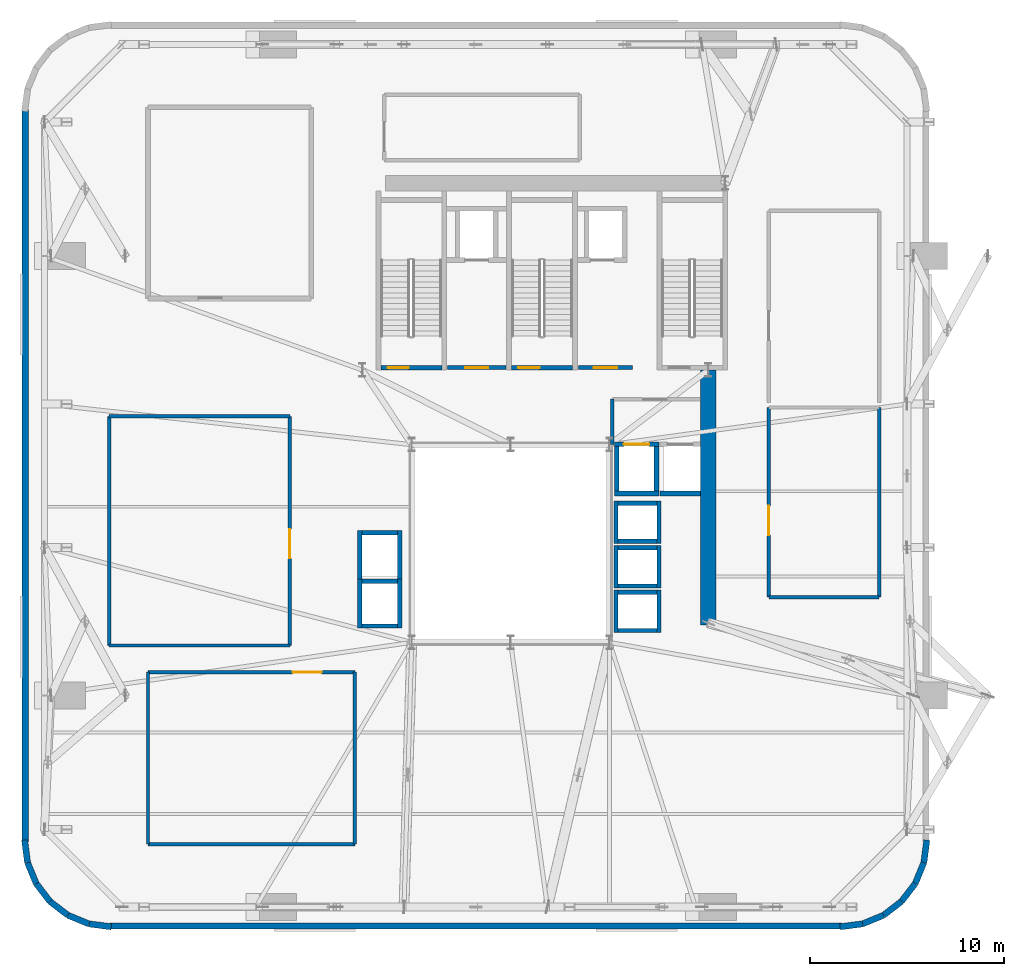
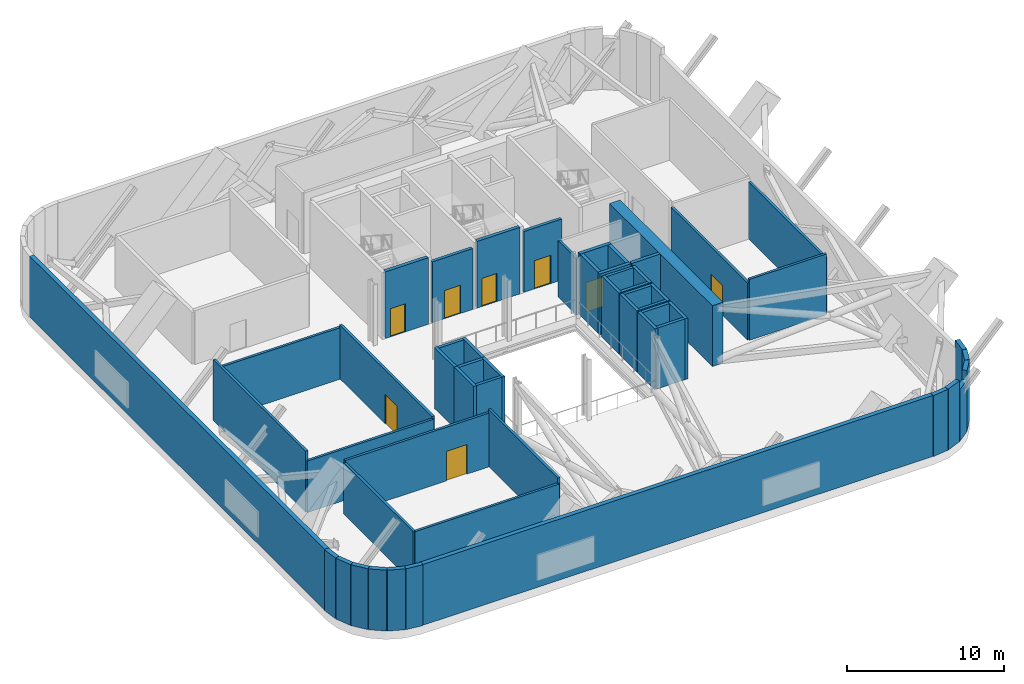
# One storey, part 9 of 14: 55 walls, 8 doors, 8 openings.
"""IFC4 building model written with IfcOpenShell, lengths in metres."""

from ifc_helpers import new_model, si_unit, direction, frame, frame_2d, origin, place, context, subcontext, project, spatial, rectangle, extrude, source, transform, mapped, material, layer, layer_set, type_object, element, fill, save


model = new_model("IFC4")

# Units and contexts
model_context = context("Model", 3, precision=1e-05, world=origin(), true_north=direction((0.0, 1.0)))
body_context = subcontext(model_context, "Body", "Model", "MODEL_VIEW")
ifc_project = project(units=[si_unit("LENGTHUNIT", "METRE"), si_unit("AREAUNIT", "SQUARE_METRE"), si_unit("VOLUMEUNIT", "CUBIC_METRE"), si_unit("PLANEANGLEUNIT", "RADIAN"), si_unit("MASSUNIT", "GRAM", prefix="KILO")], contexts=[model_context])

# Site, building, storey
site_placement = place(None, origin())
site = spatial("IfcSite", under=ifc_project, at=site_placement, CompositionType="ELEMENT")
building_placement = place(site_placement, origin())
building = spatial("IfcBuilding", under=site, at=building_placement, Name="Vardaveli Station Tower", CompositionType="ELEMENT")
storey_placement = place(building_placement, frame((0.0, 0.0, 237.300048828125)))
storey = spatial("IfcBuildingStorey", under=building, at=storey_placement, Name="L61", CompositionType="ELEMENT", Elevation=237.300048828125)

# Walls
ifc_material_1 = material(Name="Concrete C50/60", Category="concrete")
ifc_layer_1 = layer(ifc_material_1, 0.800048828125, Name="Concrete C50/60")
ifc_layer_set_1 = layer_set([ifc_layer_1], Name="Concrete C50/60")
wall_type_1 = type_object("IfcWallType", Name="WAL-CORE-800", PredefinedType="SHEAR", material=ifc_layer_set_1)
shared_shape_1 = source(origin(), body_context, "Body", "SweptSolid", [
    extrude(rectangle(XDim=13.14990234375, YDim=0.800048828125, at=frame_2d((6.574951171875, 0.0))), origin(), (0.0, 0.0, 1.0), 4.75),
])
wall_1_placement = place(storey_placement, frame((46.5, 17.5, 0.0), z_axis=(0.0, 0.0, 1.0), x_axis=(0.0, 1.0, 0.0)))
element("IfcWall", 1, at=wall_1_placement, inside=storey, type_object=wall_type_1, Name="SW-L61-EAST2", PredefinedType="SHEAR", context=body_context, shape_type="MappedRepresentation", body=[
    mapped(shared_shape_1, transform((0.0, 0.0, 0.0), scale=1.0)),
])
ifc_material_2 = material(Name="Precast concrete C45/55", Category="concrete")
ifc_layer_2 = layer(ifc_material_2, 0.320068359375, Name="Precast concrete C45/55")
ifc_layer_set_2 = layer_set([ifc_layer_2], Name="Precast concrete C45/55")
wall_type_2 = type_object("IfcWallType", Name="WAL-EXT-STONE-320", PredefinedType="SOLIDWALL", material=ifc_layer_set_2)
shared_shape_2 = source(origin(), body_context, "Body", "SweptSolid", [
    extrude(rectangle(XDim=37.7998046875, YDim=0.320068359375, at=frame_2d((18.89990234375, 0.0))), origin(), (0.0, 0.0, 1.0), 4.75),
])
wall_2_placement = place(storey_placement, frame((15.60009765625, 1.9599609375, 0.0), z_axis=(0.0, 0.0, 1.0), x_axis=(1.0, 0.0, 0.0)))
element("IfcWall", 2, at=wall_2_placement, inside=storey, type_object=wall_type_2, Name="EW-L61-S", PredefinedType="SOLIDWALL", context=body_context, shape_type="MappedRepresentation", body=[
    mapped(shared_shape_2, transform((0.0, 0.0, 0.0), scale=1.0)),
])
shared_shape_3 = source(origin(), body_context, "Body", "SweptSolid", [
    extrude(rectangle(XDim=37.800048828125, YDim=0.320068359375, at=frame_2d((18.89990234375, 0.0))), origin(), (0.0, 0.0, 1.0), 4.75),
])
wall_3_placement = place(storey_placement, frame((11.260009765625, 44.10009765625, 0.0), z_axis=(0.0, 0.0, 1.0), x_axis=(0.0, -1.0, 0.0)))
element("IfcWall", 3, at=wall_3_placement, inside=storey, type_object=wall_type_2, Name="EW-L61-W", PredefinedType="SOLIDWALL", context=body_context, shape_type="MappedRepresentation", body=[
    mapped(shared_shape_3, transform((0.0, 0.0, 0.0), scale=1.0)),
])
shared_shape_4 = source(origin(), body_context, "Body", "SweptSolid", [
    extrude(rectangle(XDim=1.170654296875, YDim=0.320068359375, at=frame_2d((0.58544921875, 0.0))), origin(), (0.0, 0.0, 1.0), 4.75),
])
for number, where, z_axis, x_axis, name in (
    (4, (11.224365234375, 6.400634765625, 0.0), (0.0, 0.0, 1.0), (0.128269133229, -0.991739395941, 0.0), "EW-L61-CR1-1"),
    (5, (57.62548828125, 5.23974609375, 0.0), (0.0, 0.0, 1.0), (0.128269133229, 0.991739395941, 0.0), "EW-L61-CR2-6"),
):
    element("IfcWall", number, at=place(storey_placement, frame(where, z_axis=z_axis, x_axis=x_axis)), inside=storey, type_object=wall_type_2, Name=name, PredefinedType="SOLIDWALL", context=body_context, shape_type="MappedRepresentation", body=[
        mapped(shared_shape_4, transform((0.0, 0.0, 0.0), scale=1.0)),
    ])
shared_shape_5 = source(origin(), body_context, "Body", "SweptSolid", [
    extrude(rectangle(XDim=1.1689453125, YDim=0.320068359375, at=frame_2d((0.58447265625, 0.0))), origin(), (0.0, 0.0, 1.0), 4.75),
])
for number, where, z_axis, x_axis, name in (
    (6, (11.37451171875, 5.23974609375, 0.0), (0.0, 0.0, 1.0), (0.381127904695, -0.924522320046, 0.0), "EW-L61-CR1-2"),
    (7, (11.820068359375, 4.158935546875, 0.0), (0.0, 0.0, 1.0), (0.608387696831, -0.793639975269, 0.0), "EW-L61-CR1-3"),
    (8, (56.46875, 3.231201171875, 0.0), (0.0, 0.0, 1.0), (0.608387696831, 0.793639975269, 0.0), "EW-L61-CR2-4"),
    (9, (57.179931640625, 4.158935546875, 0.0), (0.0, 0.0, 1.0), (0.381127904695, 0.924522320046, 0.0), "EW-L61-CR2-5"),
):
    element("IfcWall", number, at=place(storey_placement, frame(where, z_axis=z_axis, x_axis=x_axis)), inside=storey, type_object=wall_type_2, Name=name, PredefinedType="SOLIDWALL", context=body_context, shape_type="MappedRepresentation", body=[
        mapped(shared_shape_5, transform((0.0, 0.0, 0.0), scale=1.0)),
    ])
shared_shape_6 = source(origin(), body_context, "Body", "SweptSolid", [
    extrude(rectangle(XDim=1.168701171875, YDim=0.320068359375, at=frame_2d((0.58447265625, 0.0))), origin(), (0.0, 0.0, 1.0), 4.75),
])
wall_4_placement = place(storey_placement, frame((12.53125, 3.231201171875, 0.0), z_axis=(0.0, 0.0, 1.0), x_axis=(0.793663520347, -0.608356981114, 0.0)))
element("IfcWall", 10, at=wall_4_placement, inside=storey, type_object=wall_type_2, Name="EW-L61-CR1-4", PredefinedType="SOLIDWALL", context=body_context, shape_type="MappedRepresentation", body=[
    mapped(shared_shape_6, transform((0.0, 0.0, 0.0), scale=1.0)),
])
shared_shape_7 = source(origin(), body_context, "Body", "SweptSolid", [
    extrude(rectangle(XDim=1.16943359375, YDim=0.320068359375, at=frame_2d((0.584716796875, 0.0))), origin(), (0.0, 0.0, 1.0), 4.75),
])
for number, where, z_axis, x_axis, name in (
    (11, (13.458740234375, 2.520263671875, 0.0), (0.0, 0.0, 1.0), (0.924479075121, -0.381232789334, 0.0), "EW-L61-CR1-5"),
    (12, (54.460205078125, 2.074462890625, 0.0), (0.0, 0.0, 1.0), (0.924479075121, 0.381232789334, 0.0), "EW-L61-CR2-2"),
):
    element("IfcWall", number, at=place(storey_placement, frame(where, z_axis=z_axis, x_axis=x_axis)), inside=storey, type_object=wall_type_2, Name=name, PredefinedType="SOLIDWALL", context=body_context, shape_type="MappedRepresentation", body=[
        mapped(shared_shape_7, transform((0.0, 0.0, 0.0), scale=1.0)),
    ])
shared_shape_8 = source(origin(), body_context, "Body", "SweptSolid", [
    extrude(rectangle(XDim=1.170166015625, YDim=0.320068359375, at=frame_2d((0.5849609375, 0.0))), origin(), (0.0, 0.0, 1.0), 4.75),
])
for number, where, z_axis, x_axis, name in (
    (13, (14.539794921875, 2.074462890625, 0.0), (0.0, 0.0, 1.0), (0.991762485493, -0.128090485085, 0.0), "EW-L61-CR1-6"),
    (14, (53.299560546875, 1.924560546875, 0.0), (0.0, 0.0, 1.0), (0.991762485493, 0.128090485085, 0.0), "EW-L61-CR2-1"),
):
    element("IfcWall", number, at=place(storey_placement, frame(where, z_axis=z_axis, x_axis=x_axis)), inside=storey, type_object=wall_type_2, Name=name, PredefinedType="SOLIDWALL", context=body_context, shape_type="MappedRepresentation", body=[
        mapped(shared_shape_8, transform((0.0, 0.0, 0.0), scale=1.0)),
    ])
shared_shape_9 = source(origin(), body_context, "Body", "SweptSolid", [
    extrude(rectangle(XDim=1.168701171875, YDim=0.320068359375, at=frame_2d((0.58447265625, 0.0))), origin(), (0.0, 0.0, 1.0), 4.029052734375),
])
wall_5_placement = place(storey_placement, frame((55.541259765625, 2.520263671875, 0.0), z_axis=(0.0, 0.0, 1.0), x_axis=(0.793663520347, 0.608356981114, 0.0)))
element("IfcWall", 15, at=wall_5_placement, inside=storey, type_object=wall_type_2, Name="EW-L61-CR2-3", PredefinedType="SOLIDWALL", context=body_context, shape_type="MappedRepresentation", body=[
    mapped(shared_shape_9, transform((0.0, 0.0, 0.0), scale=1.0)),
])

# Wall, opening, door
ifc_material_3 = material(Name="Concrete C40/50", Category="concrete")
ifc_layer_3 = layer(ifc_material_3, 0.25, Name="Concrete C40/50")
ifc_layer_set_3 = layer_set([ifc_layer_3], Name="Concrete C40/50")
wall_type_3 = type_object("IfcWallType", Name="WAL-SHAFT-250", PredefinedType="SOLIDWALL", material=ifc_layer_set_3)
shared_shape_10 = source(origin(), body_context, "Body", "SweptSolid", [
    extrude(rectangle(XDim=3.14990234375, YDim=0.25, at=frame_2d((1.574951171875, 0.0))), origin(), (0.0, 0.0, 1.0), 5.199951171875),
])
wall_6_placement = place(storey_placement, frame((29.60009765625, 30.77490234375, 0.0), z_axis=(0.0, 0.0, 1.0), x_axis=(1.0, 0.0, 0.0)))
wall_6 = element("IfcWall", 16, at=wall_6_placement, inside=storey, type_object=wall_type_3, Name="W-L61-ST-1S", PredefinedType="SOLIDWALL", context=body_context, shape_type="MappedRepresentation", body=[
    mapped(shared_shape_10, transform((0.0, 0.0, 0.0), scale=1.0)),
])
shared_shape_11 = source(origin(), body_context, "Body", "SweptSolid", [
    extrude(rectangle(XDim=1.10009765625, YDim=2.199951171875, at=frame_2d((0.550048828125, 1.10009765625))), frame((0.0, 0.135009765625, 0.0), z_axis=(0.0, -1.0, 0.0), x_axis=(1.0, 0.0, 0.0)), (0.0, 0.0, 1.0), 0.27001953125),
])
opening_1_placement = place(wall_6_placement, frame((0.35009765625, 0.0, 0.0)))
opening_1 = element("IfcOpeningElement", 17, at=opening_1_placement, cuts=wall_6, Name="Opening D-04", PredefinedType="OPENING", context=body_context, shape_type="MappedRepresentation", body=[
    mapped(shared_shape_11, transform((0.0, 0.0, 0.0), scale=1.0)),
])
ifc_material_4 = material(Name="Steel smokeproof fire doorset", Category="steel")
door_type_1 = type_object("IfcDoorType", Name="DR-ST-1100x2200", OperationType="NOTDEFINED", PredefinedType="DOOR", material=ifc_material_4)
shared_shape_12 = source(origin(), body_context, "Body", "SweptSolid", [
    extrude(rectangle(XDim=1.10009765625, YDim=2.199951171875, at=frame_2d((0.550048828125, 1.10009765625))), frame((0.0, 0.02490234375, 0.0), z_axis=(0.0, -1.0, 0.0), x_axis=(1.0, 0.0, 0.0)), (0.0, 0.0, 1.0), 0.050048828125),
])
door_1_placement = place(opening_1_placement, origin())
door_1 = element("IfcDoor", 18, at=door_1_placement, inside=storey, type_object=door_type_1, Name="DST-1-L61", OperationType="SINGLE_SWING_LEFT", OverallHeight=2.199951171875, OverallWidth=1.10009765625, PredefinedType="DOOR", context=body_context, shape_type="MappedRepresentation", body=[
    mapped(shared_shape_12, transform((0.0, 0.0, 0.0), scale=1.0)),
])
fill(opening_1, door_1)

wall_7_placement = place(storey_placement, frame((36.35009765625, 30.77490234375, 0.0), z_axis=(0.0, 0.0, 1.0), x_axis=(1.0, 0.0, 0.0)))
wall_7 = element("IfcWall", 19, at=wall_7_placement, inside=storey, type_object=wall_type_3, Name="W-L61-ST-2S", PredefinedType="SOLIDWALL", context=body_context, shape_type="MappedRepresentation", body=[
    mapped(shared_shape_10, transform((0.0, 0.0, 0.0), scale=1.0)),
])
opening_2_placement = place(wall_7_placement, frame((0.35009765625, 0.0, 0.0)))
opening_2 = element("IfcOpeningElement", 20, at=opening_2_placement, cuts=wall_7, Name="Opening D-04", PredefinedType="OPENING", context=body_context, shape_type="MappedRepresentation", body=[
    mapped(shared_shape_11, transform((0.0, 0.0, 0.0), scale=1.0)),
])
door_2_placement = place(opening_2_placement, origin())
door_2 = element("IfcDoor", 21, at=door_2_placement, inside=storey, type_object=door_type_1, Name="DST-2-L61", OperationType="SINGLE_SWING_LEFT", OverallHeight=2.199951171875, OverallWidth=1.10009765625, PredefinedType="DOOR", context=body_context, shape_type="MappedRepresentation", body=[
    mapped(shared_shape_12, transform((0.0, 0.0, 0.0), scale=1.0)),
])
fill(opening_2, door_2)

ifc_layer_4 = layer(ifc_material_3, 0.219970703125, Name="Concrete C40/50")
ifc_layer_set_4 = layer_set([ifc_layer_4], Name="Concrete C40/50")
wall_type_4 = type_object("IfcWallType", Name="WAL-FFLOBBY-220", PredefinedType="SOLIDWALL", material=ifc_layer_set_4)
shared_shape_13 = source(origin(), body_context, "Body", "SweptSolid", [
    extrude(rectangle(XDim=3.0, YDim=0.219970703125, at=frame_2d((1.5, 0.0))), origin(), (0.0, 0.0, 1.0), 4.75),
])
wall_8_placement = place(storey_placement, frame((33.050048828125, 30.780029296875, 0.0), z_axis=(0.0, 0.0, 1.0), x_axis=(1.0, 0.0, 0.0)))
wall_8 = element("IfcWall", 22, at=wall_8_placement, inside=storey, type_object=wall_type_4, Name="W-L61-FFL1S", PredefinedType="SOLIDWALL", context=body_context, shape_type="MappedRepresentation", body=[
    mapped(shared_shape_13, transform((0.0, 0.0, 0.0), scale=1.0)),
])
shared_shape_14 = source(origin(), body_context, "Body", "SweptSolid", [
    extrude(rectangle(XDim=1.199951171875, YDim=2.199951171875, at=frame_2d((0.60009765625, 1.10009765625))), frame((0.0, 0.1201171875, 0.0), z_axis=(0.0, -1.0, 0.0), x_axis=(1.0, 0.0, 0.0)), (0.0, 0.0, 1.0), 0.239990234375),
])
opening_3_placement = place(wall_8_placement, frame((0.89990234375, 0.0, 0.0)))
opening_3 = element("IfcOpeningElement", 23, at=opening_3_placement, cuts=wall_8, Name="Opening D-03", PredefinedType="OPENING", context=body_context, shape_type="MappedRepresentation", body=[
    mapped(shared_shape_14, transform((0.0, 0.0, 0.0), scale=1.0)),
])
door_type_2 = type_object("IfcDoorType", Name="DR-FFL-1200x2200", OperationType="NOTDEFINED", PredefinedType="DOOR", material=ifc_material_4)
shared_shape_15 = source(origin(), body_context, "Body", "SweptSolid", [
    extrude(rectangle(XDim=1.199951171875, YDim=2.199951171875, at=frame_2d((0.60009765625, 1.10009765625))), frame((0.0, 0.02490234375, 0.0), z_axis=(0.0, -1.0, 0.0), x_axis=(1.0, 0.0, 0.0)), (0.0, 0.0, 1.0), 0.050048828125),
])
door_3_placement = place(opening_3_placement, origin())
door_3 = element("IfcDoor", 24, at=door_3_placement, inside=storey, type_object=door_type_2, Name="DFFL1-L61", OperationType="SINGLE_SWING_LEFT", OverallHeight=2.199951171875, OverallWidth=1.199951171875, PredefinedType="DOOR", context=body_context, shape_type="MappedRepresentation", body=[
    mapped(shared_shape_15, transform((0.0, 0.0, 0.0), scale=1.0)),
])
fill(opening_3, door_3)

shared_shape_16 = source(origin(), body_context, "Body", "SweptSolid", [
    extrude(rectangle(XDim=2.800048828125, YDim=0.219970703125, at=frame_2d((1.39990234375, 0.0))), origin(), (0.0, 0.0, 1.0), 4.75),
])
wall_9_placement = place(storey_placement, frame((39.800048828125, 30.780029296875, 0.0), z_axis=(0.0, 0.0, 1.0), x_axis=(1.0, 0.0, 0.0)))
wall_9 = element("IfcWall", 25, at=wall_9_placement, inside=storey, type_object=wall_type_4, Name="W-L61-FFL2S", PredefinedType="SOLIDWALL", context=body_context, shape_type="MappedRepresentation", body=[
    mapped(shared_shape_16, transform((0.0, 0.0, 0.0), scale=1.0)),
])
opening_4_placement = place(wall_9_placement, frame((0.800048828125, 0.0, 0.0)))
opening_4 = element("IfcOpeningElement", 26, at=opening_4_placement, cuts=wall_9, Name="Opening D-03", PredefinedType="OPENING", context=body_context, shape_type="MappedRepresentation", body=[
    mapped(shared_shape_14, transform((0.0, 0.0, 0.0), scale=1.0)),
])
door_4_placement = place(opening_4_placement, origin())
door_4 = element("IfcDoor", 27, at=door_4_placement, inside=storey, type_object=door_type_2, Name="DFFL2-L61", OperationType="SINGLE_SWING_RIGHT", OverallHeight=2.199951171875, OverallWidth=1.199951171875, PredefinedType="DOOR", context=body_context, shape_type="MappedRepresentation", body=[
    mapped(shared_shape_15, transform((0.0, 0.0, 0.0), scale=1.0)),
])
fill(opening_4, door_4)

# Walls
shared_shape_17 = source(origin(), body_context, "Body", "SweptSolid", [
    extrude(rectangle(XDim=2.0, YDim=0.219970703125, at=frame_2d((1.0, 0.0))), origin(), (0.0, 0.0, 1.0), 4.75),
])
for number, where, z_axis, x_axis, name in (
    (28, (41.85009765625, 21.81494140625, 0.0), (0.0, 0.0, 1.0), (1.0, 0.0, 0.0), "SHW-HL3-01-L61-S"),
    (29, (41.85009765625, 23.784912109375, 0.0), (0.0, 0.0, 1.0), (1.0, 0.0, 0.0), "SHW-HL3-01-L61-N"),
    (30, (41.85009765625, 19.514892578125, 0.0), (0.0, 0.0, 1.0), (1.0, 0.0, 0.0), "SHW-HL3-02-L61-S"),
    (31, (41.85009765625, 21.485107421875, 0.0), (0.0, 0.0, 1.0), (1.0, 0.0, 0.0), "SHW-HL3-02-L61-N"),
    (32, (41.85009765625, 17.215087890625, 0.0), (0.0, 0.0, 1.0), (1.0, 0.0, 0.0), "SHW-HL3-03-L61-S"),
    (33, (41.85009765625, 19.18505859375, 0.0), (0.0, 0.0, 1.0), (1.0, 0.0, 0.0), "SHW-HL3-03-L61-N"),
):
    element("IfcWall", number, at=place(storey_placement, frame(where, z_axis=z_axis, x_axis=x_axis)), inside=storey, type_object=wall_type_4, Name=name, PredefinedType="SOLIDWALL", context=body_context, shape_type="MappedRepresentation", body=[
        mapped(shared_shape_17, transform((0.0, 0.0, 0.0), scale=1.0)),
    ])
shared_shape_18 = source(origin(), body_context, "Body", "SweptSolid", [
    extrude(rectangle(XDim=2.18994140625, YDim=0.219970703125, at=frame_2d((1.094970703125, 0.0))), origin(), (0.0, 0.0, 1.0), 4.75),
])
for number, where, z_axis, x_axis, name in (
    (34, (41.739990234375, 21.705078125, 0.0), (0.0, 0.0, 1.0), (0.0, 1.0, 0.0), "SHW-HL3-01-L61-W"),
    (35, (43.9599609375, 21.705078125, 0.0), (0.0, 0.0, 1.0), (0.0, 1.0, 0.0), "SHW-HL3-01-L61-E"),
    (36, (41.739990234375, 19.405029296875, 0.0), (0.0, 0.0, 1.0), (0.0, 1.0, 0.0), "SHW-HL3-02-L61-W"),
    (37, (43.9599609375, 19.405029296875, 0.0), (0.0, 0.0, 1.0), (0.0, 1.0, 0.0), "SHW-HL3-02-L61-E"),
    (38, (41.739990234375, 17.10498046875, 0.0), (0.0, 0.0, 1.0), (0.0, 1.0, 0.0), "SHW-HL3-03-L61-W"),
    (39, (43.9599609375, 17.10498046875, 0.0), (0.0, 0.0, 1.0), (0.0, 1.0, 0.0), "SHW-HL3-03-L61-E"),
):
    element("IfcWall", number, at=place(storey_placement, frame(where, z_axis=z_axis, x_axis=x_axis)), inside=storey, type_object=wall_type_4, Name=name, PredefinedType="SOLIDWALL", context=body_context, shape_type="MappedRepresentation", body=[
        mapped(shared_shape_18, transform((0.0, 0.0, 0.0), scale=1.0)),
    ])
shared_shape_19 = source(origin(), body_context, "Body", "SweptSolid", [
    extrude(rectangle(XDim=1.85009765625, YDim=0.219970703125, at=frame_2d((0.925048828125, 0.0))), origin(), (0.0, 0.0, 1.0), 4.75),
])
for number, where, z_axis, x_axis, name in (
    (40, (28.625, 17.43994140625, 0.0), (0.0, 0.0, 1.0), (1.0, 0.0, 0.0), "SHW-OBS-01-L61-S"),
    (41, (28.625, 19.760009765625, 0.0), (0.0, 0.0, 1.0), (1.0, 0.0, 0.0), "SHW-OBS-01-L61-N"),
    (42, (28.625, 22.260009765625, 0.0), (0.0, 0.0, 1.0), (1.0, 0.0, 0.0), "SHW-OBS-02-L61-N"),
):
    element("IfcWall", number, at=place(storey_placement, frame(where, z_axis=z_axis, x_axis=x_axis)), inside=storey, type_object=wall_type_4, Name=name, PredefinedType="SOLIDWALL", context=body_context, shape_type="MappedRepresentation", body=[
        mapped(shared_shape_19, transform((0.0, 0.0, 0.0), scale=1.0)),
    ])
shared_shape_20 = source(origin(), body_context, "Body", "SweptSolid", [
    extrude(rectangle(XDim=2.5400390625, YDim=0.219970703125, at=frame_2d((1.27001953125, 0.0))), origin(), (0.0, 0.0, 1.0), 4.75),
])
for number, where, z_axis, x_axis, name in (
    (43, (28.514892578125, 17.330078125, 0.0), (0.0, 0.0, 1.0), (0.0, 1.0, 0.0), "SHW-OBS-01-L61-W"),
    (44, (30.5849609375, 17.330078125, 0.0), (0.0, 0.0, 1.0), (0.0, 1.0, 0.0), "SHW-OBS-01-L61-E"),
    (45, (28.514892578125, 19.830078125, 0.0), (0.0, 0.0, 1.0), (0.0, 1.0, 0.0), "SHW-OBS-02-L61-W"),
    (46, (30.5849609375, 19.830078125, 0.0), (0.0, 0.0, 1.0), (0.0, 1.0, 0.0), "SHW-OBS-02-L61-E"),
):
    element("IfcWall", number, at=place(storey_placement, frame(where, z_axis=z_axis, x_axis=x_axis)), inside=storey, type_object=wall_type_4, Name=name, PredefinedType="SOLIDWALL", context=body_context, shape_type="MappedRepresentation", body=[
        mapped(shared_shape_20, transform((0.0, 0.0, 0.0), scale=1.0)),
    ])
shared_shape_21 = source(origin(), body_context, "Body", "SweptSolid", [
    extrude(rectangle(XDim=2.300048828125, YDim=0.25, at=frame_2d((1.14990234375, 0.0))), origin(), (0.0, 0.0, 1.0), 4.75),
])
wall_10_placement = place(storey_placement, frame((41.64990234375, 24.27490234375, 0.0), z_axis=(0.0, 0.0, 1.0), x_axis=(1.0, 0.0, 0.0)))
element("IfcWall", 47, at=wall_10_placement, inside=storey, type_object=wall_type_3, Name="SHW-SRV-01-L61-S", PredefinedType="SOLIDWALL", context=body_context, shape_type="MappedRepresentation", body=[
    mapped(shared_shape_21, transform((0.0, 0.0, 0.0), scale=1.0)),
])

# Wall, opening, door
wall_11_placement = place(storey_placement, frame((41.64990234375, 26.824951171875, 0.0), z_axis=(0.0, 0.0, 1.0), x_axis=(1.0, 0.0, 0.0)))
wall_11 = element("IfcWall", 48, at=wall_11_placement, inside=storey, type_object=wall_type_3, Name="SHW-SRV-01-L61-N", PredefinedType="SOLIDWALL", context=body_context, shape_type="MappedRepresentation", body=[
    mapped(shared_shape_21, transform((0.0, 0.0, 0.0), scale=1.0)),
])
shared_shape_22 = source(origin(), body_context, "Body", "SweptSolid", [
    extrude(rectangle(XDim=1.300048828125, YDim=2.300048828125, at=frame_2d((0.64990234375, 1.14990234375))), frame((0.0, 0.135009765625, 0.0), z_axis=(0.0, -1.0, 0.0), x_axis=(1.0, 0.0, 0.0)), (0.0, 0.0, 1.0), 0.27001953125),
])
opening_5_placement = place(wall_11_placement, frame((0.5, 0.0, 0.0)))
opening_5 = element("IfcOpeningElement", 49, at=opening_5_placement, cuts=wall_11, Name="Opening LD-03", PredefinedType="OPENING", context=body_context, shape_type="MappedRepresentation", body=[
    mapped(shared_shape_22, transform((0.0, 0.0, 0.0), scale=1.0)),
])
ifc_material_5 = material(Name="Brushed stainless steel", Category="steel")
door_type_3 = type_object("IfcDoorType", Name="DR-LD-1300x2300", OperationType="DOUBLE_DOOR_SLIDING", PredefinedType="DOOR", material=ifc_material_5)
shared_shape_23 = source(origin(), body_context, "Body", "SweptSolid", [
    extrude(rectangle(XDim=1.300048828125, YDim=2.300048828125, at=frame_2d((0.64990234375, 1.14990234375))), frame((0.0, 0.02490234375, 0.0), z_axis=(0.0, -1.0, 0.0), x_axis=(1.0, 0.0, 0.0)), (0.0, 0.0, 1.0), 0.050048828125),
])
door_5_placement = place(opening_5_placement, origin())
door_5 = element("IfcDoor", 50, at=door_5_placement, inside=storey, type_object=door_type_3, Name="LD-SRV-01-L61", OperationType="DOUBLE_DOOR_SLIDING", OverallHeight=2.300048828125, OverallWidth=1.300048828125, PredefinedType="DOOR", context=body_context, shape_type="MappedRepresentation", body=[
    mapped(shared_shape_23, transform((0.0, 0.0, 0.0), scale=1.0)),
])
fill(opening_5, door_5)

# Walls
for number, where, z_axis, x_axis, name in (
    (51, (41.77490234375, 24.39990234375, 0.0), (0.0, 0.0, 1.0), (0.0, 1.0, 0.0), "SHW-SRV-01-L61-W"),
    (52, (43.824951171875, 24.39990234375, 0.0), (0.0, 0.0, 1.0), (0.0, 1.0, 0.0), "SHW-SRV-01-L61-E"),
):
    element("IfcWall", number, at=place(storey_placement, frame(where, z_axis=z_axis, x_axis=x_axis)), inside=storey, type_object=wall_type_3, Name=name, PredefinedType="SOLIDWALL", context=body_context, shape_type="MappedRepresentation", body=[
        mapped(shared_shape_21, transform((0.0, 0.0, 0.0), scale=1.0)),
    ])
shared_shape_24 = source(origin(), body_context, "Body", "SweptSolid", [
    extrude(rectangle(XDim=2.10009765625, YDim=0.25, at=frame_2d((1.050048828125, 0.0))), origin(), (0.0, 0.0, 1.0), 4.75),
])
wall_12_placement = place(storey_placement, frame((44.0, 24.27490234375, 0.0), z_axis=(0.0, 0.0, 1.0), x_axis=(1.0, 0.0, 0.0)))
element("IfcWall", 53, at=wall_12_placement, inside=storey, type_object=wall_type_3, Name="SHW-SRV-02-L61-S", PredefinedType="SOLIDWALL", context=body_context, shape_type="MappedRepresentation", body=[
    mapped(shared_shape_24, transform((0.0, 0.0, 0.0), scale=1.0)),
])
ifc_material_6 = material(Name="Fire-rated gypsum stud partition")
ifc_layer_5 = layer(ifc_material_6, 0.179931640625, Name="Fire-rated gypsum stud partition")
ifc_layer_set_5 = layer_set([ifc_layer_5], Name="Fire-rated gypsum stud partition")
wall_type_5 = type_object("IfcWallType", Name="WAL-CORR-180", PredefinedType="PARTITIONING", material=ifc_layer_set_5)
shared_shape_25 = source(origin(), body_context, "Body", "SweptSolid", [
    extrude(rectangle(XDim=11.820068359375, YDim=0.179931640625, at=frame_2d((5.91015625, 0.0))), origin(), (0.0, 0.0, 1.0), 4.75),
])
wall_13_placement = place(storey_placement, frame((15.590087890625, 16.43994140625, 0.0), z_axis=(0.0, 0.0, 1.0), x_axis=(0.0, 1.0, 0.0)))
element("IfcWall", 54, at=wall_13_placement, inside=storey, type_object=wall_type_5, Name="W-L61-PL4-W", PredefinedType="PARTITIONING", context=body_context, shape_type="MappedRepresentation", body=[
    mapped(shared_shape_25, transform((0.0, 0.0, 0.0), scale=1.0)),
])
shared_shape_26 = source(origin(), body_context, "Body", "SweptSolid", [
    extrude(rectangle(XDim=2.349853515625, YDim=0.179931640625, at=frame_2d((1.1748046875, 0.0))), origin(), (0.0, 0.0, 1.0), 4.3818359375),
])
wall_14_placement = place(storey_placement, frame((41.550048828125, 26.800048828125, 0.0), z_axis=(0.0, 0.0, 1.0), x_axis=(0.0, 1.0, 0.0)))
element("IfcWall", 55, at=wall_14_placement, inside=storey, type_object=wall_type_5, Name="W-L61-SVFW", PredefinedType="PARTITIONING", context=body_context, shape_type="MappedRepresentation", body=[
    mapped(shared_shape_26, transform((0.0, 0.0, 0.0), scale=1.0)),
])

# Wall, opening, door
shared_shape_27 = source(origin(), body_context, "Body", "SweptSolid", [
    extrude(rectangle(XDim=11.820068359375, YDim=0.179931640625, at=frame_2d((5.91015625, 0.0))), origin(), (0.0, 0.0, 1.0), 4.19189453125),
])
wall_15_placement = place(storey_placement, frame((24.909912109375, 16.43994140625, 0.0), z_axis=(0.0, 0.0, 1.0), x_axis=(0.0, 1.0, 0.0)))
wall_15 = element("IfcWall", 56, at=wall_15_placement, inside=storey, type_object=wall_type_5, Name="W-L61-PL4-E", PredefinedType="PARTITIONING", context=body_context, shape_type="MappedRepresentation", body=[
    mapped(shared_shape_27, transform((0.0, 0.0, 0.0), scale=1.0)),
])
shared_shape_28 = source(origin(), body_context, "Body", "SweptSolid", [
    extrude(rectangle(XDim=1.5, YDim=2.300048828125, at=frame_2d((0.75, 1.14990234375))), frame((0.0, 0.10009765625, 0.0), z_axis=(0.0, -1.0, 0.0), x_axis=(1.0, 0.0, 0.0)), (0.0, 0.0, 1.0), 0.199951171875),
])
opening_6_placement = place(wall_15_placement, frame((4.5, 0.0, 0.0)))
opening_6 = element("IfcOpeningElement", 57, at=opening_6_placement, cuts=wall_15, Name="Opening D-02", PredefinedType="OPENING", context=body_context, shape_type="MappedRepresentation", body=[
    mapped(shared_shape_28, transform((0.0, 0.0, 0.0), scale=1.0)),
])
ifc_material_7 = material(Name="Galvanised steel acoustic doorset", Category="steel")
door_type_4 = type_object("IfcDoorType", Name="DR-PLANT-1500x2300", OperationType="DOUBLE_DOOR_SINGLE_SWING", PredefinedType="DOOR", material=ifc_material_7)
shared_shape_29 = source(origin(), body_context, "Body", "SweptSolid", [
    extrude(rectangle(XDim=1.5, YDim=2.300048828125, at=frame_2d((0.75, 1.14990234375))), frame((0.0, 0.02490234375, 0.0), z_axis=(0.0, -1.0, 0.0), x_axis=(1.0, 0.0, 0.0)), (0.0, 0.0, 1.0), 0.050048828125),
])
door_6_placement = place(opening_6_placement, origin())
door_6 = element("IfcDoor", 58, at=door_6_placement, inside=storey, type_object=door_type_4, Name="D-L61-P4", OperationType="DOUBLE_DOOR_SINGLE_SWING", OverallHeight=2.300048828125, OverallWidth=1.5, PredefinedType="DOOR", context=body_context, shape_type="MappedRepresentation", body=[
    mapped(shared_shape_29, transform((0.0, 0.0, 0.0), scale=1.0)),
])
fill(opening_6, door_6)

shared_shape_30 = source(origin(), body_context, "Body", "SweptSolid", [
    extrude(rectangle(XDim=10.669921875, YDim=0.179931640625, at=frame_2d((5.3349609375, 0.0))), origin(), (0.0, 0.0, 1.0), 4.19189453125),
])
wall_16_placement = place(storey_placement, frame((17.590087890625, 15.06005859375, 0.0), z_axis=(0.0, 0.0, 1.0), x_axis=(1.0, 0.0, 0.0)))
wall_16 = element("IfcWall", 59, at=wall_16_placement, inside=storey, type_object=wall_type_5, Name="W-L61-PL1-N", PredefinedType="PARTITIONING", context=body_context, shape_type="MappedRepresentation", body=[
    mapped(shared_shape_30, transform((0.0, 0.0, 0.0), scale=1.0)),
])
opening_7_placement = place(wall_16_placement, frame((7.4599609375, 0.0, 0.0)))
opening_7 = element("IfcOpeningElement", 60, at=opening_7_placement, cuts=wall_16, Name="Opening D-02", PredefinedType="OPENING", context=body_context, shape_type="MappedRepresentation", body=[
    mapped(shared_shape_28, transform((0.0, 0.0, 0.0), scale=1.0)),
])
door_7_placement = place(opening_7_placement, origin())
door_7 = element("IfcDoor", 61, at=door_7_placement, inside=storey, type_object=door_type_4, Name="D-L61-P1", OperationType="DOUBLE_DOOR_SINGLE_SWING", OverallHeight=2.300048828125, OverallWidth=1.5, PredefinedType="DOOR", context=body_context, shape_type="MappedRepresentation", body=[
    mapped(shared_shape_29, transform((0.0, 0.0, 0.0), scale=1.0)),
])
fill(opening_7, door_7)

shared_shape_31 = source(origin(), body_context, "Body", "SweptSolid", [
    extrude(rectangle(XDim=9.780029296875, YDim=0.179931640625, at=frame_2d((4.89013671875, 0.0))), origin(), (0.0, 0.0, 1.0), 4.44189453125),
])
wall_17_placement = place(storey_placement, frame((49.6201171875, 18.93994140625, 0.0), z_axis=(0.0, 0.0, 1.0), x_axis=(0.0, 1.0, 0.0)))
wall_17 = element("IfcWall", 62, at=wall_17_placement, inside=storey, type_object=wall_type_5, Name="W-L61-PL3-W", PredefinedType="PARTITIONING", context=body_context, shape_type="MappedRepresentation", body=[
    mapped(shared_shape_31, transform((0.0, 0.0, 0.0), scale=1.0)),
])
opening_8_placement = place(wall_17_placement, frame((3.199951171875, 0.0, 0.0)))
opening_8 = element("IfcOpeningElement", 63, at=opening_8_placement, cuts=wall_17, Name="Opening D-02", PredefinedType="OPENING", context=body_context, shape_type="MappedRepresentation", body=[
    mapped(shared_shape_28, transform((0.0, 0.0, 0.0), scale=1.0)),
])
door_8_placement = place(opening_8_placement, origin())
door_8 = element("IfcDoor", 64, at=door_8_placement, inside=storey, type_object=door_type_4, Name="D-L61-P3", OperationType="DOUBLE_DOOR_SINGLE_SWING", OverallHeight=2.300048828125, OverallWidth=1.5, PredefinedType="DOOR", context=body_context, shape_type="MappedRepresentation", body=[
    mapped(shared_shape_29, transform((0.0, 0.0, 0.0), scale=1.0)),
])
fill(opening_8, door_8)

# Walls
wall_18_placement = place(storey_placement, frame((55.31005859375, 18.93994140625, 0.0), z_axis=(0.0, 0.0, 1.0), x_axis=(0.0, 1.0, 0.0)))
element("IfcWall", 65, at=wall_18_placement, inside=storey, type_object=wall_type_5, Name="W-L61-PL3-E", PredefinedType="PARTITIONING", context=body_context, shape_type="MappedRepresentation", body=[
    mapped(shared_shape_31, transform((0.0, 0.0, 0.0), scale=1.0)),
])
shared_shape_32 = source(origin(), body_context, "Body", "SweptSolid", [
    extrude(rectangle(XDim=10.669921875, YDim=0.179931640625, at=frame_2d((5.3349609375, 0.0))), origin(), (0.0, 0.0, 1.0), 4.02587890625),
])
wall_19_placement = place(storey_placement, frame((17.590087890625, 6.18994140625, 0.0), z_axis=(0.0, 0.0, 1.0), x_axis=(1.0, 0.0, 0.0)))
element("IfcWall", 66, at=wall_19_placement, inside=storey, type_object=wall_type_5, Name="W-L61-PL1-S", PredefinedType="PARTITIONING", context=body_context, shape_type="MappedRepresentation", body=[
    mapped(shared_shape_32, transform((0.0, 0.0, 0.0), scale=1.0)),
])
shared_shape_33 = source(origin(), body_context, "Body", "SweptSolid", [
    extrude(rectangle(XDim=9.31982421875, YDim=0.179931640625, at=frame_2d((4.659912109375, 0.0))), origin(), (0.0, 0.0, 1.0), 4.02587890625),
])
for number, where, z_axis, x_axis, name in (
    (67, (15.590087890625, 16.43994140625, 0.0), (0.0, 0.0, 1.0), (1.0, 0.0, 0.0), "W-L61-PL4-S"),
    (68, (15.590087890625, 28.260009765625, 0.0), (0.0, 0.0, 1.0), (1.0, 0.0, 0.0), "W-L61-PL4-N"),
):
    element("IfcWall", number, at=place(storey_placement, frame(where, z_axis=z_axis, x_axis=x_axis)), inside=storey, type_object=wall_type_5, Name=name, PredefinedType="PARTITIONING", context=body_context, shape_type="MappedRepresentation", body=[
        mapped(shared_shape_33, transform((0.0, 0.0, 0.0), scale=1.0)),
    ])
shared_shape_34 = source(origin(), body_context, "Body", "SweptSolid", [
    extrude(rectangle(XDim=8.8701171875, YDim=0.179931640625, at=frame_2d((4.43505859375, 0.0))), origin(), (0.0, 0.0, 1.0), 4.02587890625),
])
wall_20_placement = place(storey_placement, frame((17.590087890625, 6.18994140625, 0.0), z_axis=(0.0, 0.0, 1.0), x_axis=(0.0, 1.0, 0.0)))
element("IfcWall", 69, at=wall_20_placement, inside=storey, type_object=wall_type_5, Name="W-L61-PL1-W", PredefinedType="PARTITIONING", context=body_context, shape_type="MappedRepresentation", body=[
    mapped(shared_shape_34, transform((0.0, 0.0, 0.0), scale=1.0)),
])
shared_shape_35 = source(origin(), body_context, "Body", "SweptSolid", [
    extrude(rectangle(XDim=8.8701171875, YDim=0.179931640625, at=frame_2d((4.43505859375, 0.0))), origin(), (0.0, 0.0, 1.0), 4.44189453125),
])
wall_21_placement = place(storey_placement, frame((28.260009765625, 6.18994140625, 0.0), z_axis=(0.0, 0.0, 1.0), x_axis=(0.0, 1.0, 0.0)))
element("IfcWall", 70, at=wall_21_placement, inside=storey, type_object=wall_type_5, Name="W-L61-PL1-E", PredefinedType="PARTITIONING", context=body_context, shape_type="MappedRepresentation", body=[
    mapped(shared_shape_35, transform((0.0, 0.0, 0.0), scale=1.0)),
])
shared_shape_36 = source(origin(), body_context, "Body", "SweptSolid", [
    extrude(rectangle(XDim=5.68994140625, YDim=0.179931640625, at=frame_2d((2.844970703125, 0.0))), origin(), (0.0, 0.0, 1.0), 4.75),
])
wall_22_placement = place(storey_placement, frame((49.6201171875, 18.93994140625, 0.0), z_axis=(0.0, 0.0, 1.0), x_axis=(1.0, 0.0, 0.0)))
element("IfcWall", 71, at=wall_22_placement, inside=storey, type_object=wall_type_5, Name="W-L61-PL3-S", PredefinedType="PARTITIONING", context=body_context, shape_type="MappedRepresentation", body=[
    mapped(shared_shape_36, transform((0.0, 0.0, 0.0), scale=1.0)),
])

save(model, "model.ifc")
